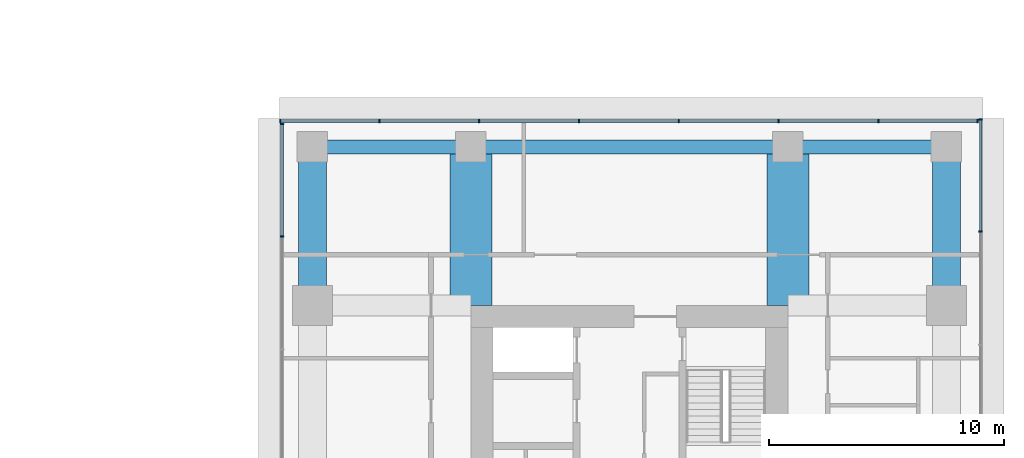
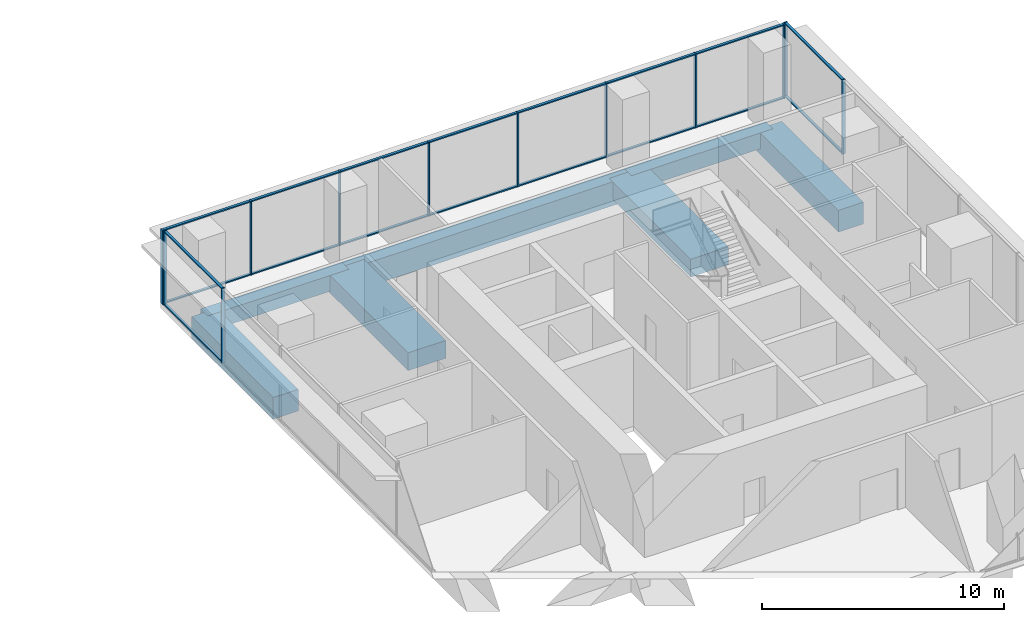
# One storey, part 5 of 14: 30 members, 7 beams, 3 elements without a shape of their own.
"""IFC4 building model written with IfcOpenShell, lengths in metres."""

from ifc_helpers import new_model, si_unit, direction, frame, origin, origin_2d, place, context, subcontext, project, spatial, rectangle, extrude, material, layer, layer_set, material_profile, profile_set, type_object, element, aggregate, save


model = new_model("IFC4")

# Units and contexts
model_context = context("Model", 3, precision=1e-05, world=origin(), true_north=direction((0.0, 1.0)))
body_context = subcontext(model_context, "Body", "Model", "MODEL_VIEW")
ifc_project = project(units=[si_unit("LENGTHUNIT", "METRE"), si_unit("AREAUNIT", "SQUARE_METRE"), si_unit("VOLUMEUNIT", "CUBIC_METRE"), si_unit("PLANEANGLEUNIT", "RADIAN"), si_unit("MASSUNIT", "GRAM", prefix="KILO")], contexts=[model_context])

# Site, building, storey
site_placement = place(None, origin())
site = spatial("IfcSite", under=ifc_project, at=site_placement, CompositionType="ELEMENT")
building_placement = place(site_placement, origin())
building = spatial("IfcBuilding", under=site, at=building_placement, Name="Namib Vertical Campus", CompositionType="ELEMENT")
storey_placement = place(building_placement, frame((0.0, 0.0, 233.0)))
storey = spatial("IfcBuildingStorey", under=building, at=storey_placement, Name="L55", CompositionType="ELEMENT", Elevation=233.0)

# Curtain wall, members
ifc_material_1 = material(Name="Black aluminium curtain wall", Category="aluminium")
ifc_layer = layer(ifc_material_1, 0.199951171875)
ifc_layer_set = layer_set([ifc_layer], Name="Sky lounge curtain wall CW-SL")
curtain_wall_type = type_object("IfcCurtainWallType", Name="Sky lounge curtain wall CW-SL", PredefinedType="USERDEFINED", material=ifc_layer_set)
curtain_wall_1_placement = place(storey_placement, origin())
curtain_wall_1 = element("IfcCurtainWall", 1, at=curtain_wall_1_placement, inside=storey, type_object=curtain_wall_type, Name="Curtain wall CW-SL L55 F02-1", ObjectType="CURTAIN WALL", PredefinedType="USERDEFINED")
ifc_material_2 = material(Name="Black anodised aluminium", Category="aluminium")
ifc_material_profile_1 = material_profile(ifc_material_2, rectangle(XDim=0.06005859375, YDim=0.159912109375, at=origin_2d()))
ifc_profile_set_1 = profile_set([ifc_material_profile_1], Name="Black anodised aluminium")
member_type_1 = type_object("IfcMemberType", Name="Curtain wall mullion 60x160", PredefinedType="MULLION", material=ifc_profile_set_1)
member_1_placement = place(storey_placement, frame((95.949951171875, 32.3857421875, 0.0), z_axis=(0.0, 0.0, 1.0), x_axis=(0.0, 1.0, 0.0)))
member_1 = element("IfcMember", 2, at=member_1_placement, type_object=member_type_1, Name="CW-SL mullion 7", PredefinedType="MULLION", context=body_context, shape_type="SweptSolid", body=[
    extrude(rectangle(XDim=0.06005859375, YDim=0.159912109375, at=origin_2d()), origin(), (0.0, 0.0, 1.0), 3.75),
])
member_2_placement = place(storey_placement, frame((95.949951171875, 37.169921875, 0.0), z_axis=(0.0, 0.0, 1.0), x_axis=(0.0, 1.0, 0.0)))
member_2 = element("IfcMember", 3, at=member_2_placement, type_object=member_type_1, Name="CW-SL mullion 8", PredefinedType="MULLION", context=body_context, shape_type="SweptSolid", body=[
    extrude(rectangle(XDim=0.06005859375, YDim=0.159912109375, at=origin_2d()), origin(), (0.0, 0.0, 1.0), 3.75),
])

curtain_wall_2_placement = place(storey_placement, origin())
curtain_wall_2 = element("IfcCurtainWall", 4, at=curtain_wall_2_placement, inside=storey, type_object=curtain_wall_type, Name="Curtain wall CW-SL L55 F03-1", ObjectType="CURTAIN WALL", PredefinedType="USERDEFINED")
member_3_placement = place(storey_placement, frame((95.820068359375, 37.10009765625, 0.0), z_axis=(0.0, 0.0, 1.0), x_axis=(-1.0, 0.0, 0.0)))
member_3 = element("IfcMember", 5, at=member_3_placement, type_object=member_type_1, Name="CW-SL mullion 1", PredefinedType="MULLION", context=body_context, shape_type="SweptSolid", body=[
    extrude(rectangle(XDim=0.06005859375, YDim=0.159912109375, at=origin_2d()), origin(), (0.0, 0.0, 1.0), 3.75),
])
member_4_placement = place(storey_placement, frame((91.60009765625, 37.10009765625, 0.0), z_axis=(0.0, 0.0, 1.0), x_axis=(-1.0, 0.0, 0.0)))
member_4 = element("IfcMember", 6, at=member_4_placement, type_object=member_type_1, Name="CW-SL mullion 2", PredefinedType="MULLION", context=body_context, shape_type="SweptSolid", body=[
    extrude(rectangle(XDim=0.06005859375, YDim=0.159912109375, at=origin_2d()), origin(), (0.0, 0.0, 1.0), 3.75),
])
member_5_placement = place(storey_placement, frame((87.35009765625, 37.10009765625, 0.0), z_axis=(0.0, 0.0, 1.0), x_axis=(-1.0, 0.0, 0.0)))
member_5 = element("IfcMember", 7, at=member_5_placement, type_object=member_type_1, Name="CW-SL mullion 3", PredefinedType="MULLION", context=body_context, shape_type="SweptSolid", body=[
    extrude(rectangle(XDim=0.06005859375, YDim=0.159912109375, at=origin_2d()), origin(), (0.0, 0.0, 1.0), 3.75),
])
member_6_placement = place(storey_placement, frame((83.10009765625, 37.10009765625, 0.0), z_axis=(0.0, 0.0, 1.0), x_axis=(-1.0, 0.0, 0.0)))
member_6 = element("IfcMember", 8, at=member_6_placement, type_object=member_type_1, Name="CW-SL mullion 4", PredefinedType="MULLION", context=body_context, shape_type="SweptSolid", body=[
    extrude(rectangle(XDim=0.06005859375, YDim=0.159912109375, at=origin_2d()), origin(), (0.0, 0.0, 1.0), 3.75),
])
member_7_placement = place(storey_placement, frame((78.85009765625, 37.10009765625, 0.0), z_axis=(0.0, 0.0, 1.0), x_axis=(-1.0, 0.0, 0.0)))
member_7 = element("IfcMember", 9, at=member_7_placement, type_object=member_type_1, Name="CW-SL mullion 5", PredefinedType="MULLION", context=body_context, shape_type="SweptSolid", body=[
    extrude(rectangle(XDim=0.06005859375, YDim=0.159912109375, at=origin_2d()), origin(), (0.0, 0.0, 1.0), 3.75),
])
member_8_placement = place(storey_placement, frame((74.60009765625, 37.10009765625, 0.0), z_axis=(0.0, 0.0, 1.0), x_axis=(-1.0, 0.0, 0.0)))
member_8 = element("IfcMember", 10, at=member_8_placement, type_object=member_type_1, Name="CW-SL mullion 6", PredefinedType="MULLION", context=body_context, shape_type="SweptSolid", body=[
    extrude(rectangle(XDim=0.06005859375, YDim=0.159912109375, at=origin_2d()), origin(), (0.0, 0.0, 1.0), 3.75),
])
member_9_placement = place(storey_placement, frame((70.35009765625, 37.10009765625, 0.0), z_axis=(0.0, 0.0, 1.0), x_axis=(-1.0, 0.0, 0.0)))
member_9 = element("IfcMember", 11, at=member_9_placement, type_object=member_type_1, Name="CW-SL mullion 7", PredefinedType="MULLION", context=body_context, shape_type="SweptSolid", body=[
    extrude(rectangle(XDim=0.06005859375, YDim=0.159912109375, at=origin_2d()), origin(), (0.0, 0.0, 1.0), 3.75),
])
member_10_placement = place(storey_placement, frame((66.1298828125, 37.10009765625, 0.0), z_axis=(0.0, 0.0, 1.0), x_axis=(-1.0, 0.0, 0.0)))
member_10 = element("IfcMember", 12, at=member_10_placement, type_object=member_type_1, Name="CW-SL mullion 8", PredefinedType="MULLION", context=body_context, shape_type="SweptSolid", body=[
    extrude(rectangle(XDim=0.06005859375, YDim=0.159912109375, at=origin_2d()), origin(), (0.0, 0.0, 1.0), 3.75),
])

curtain_wall_3_placement = place(storey_placement, origin())
curtain_wall_3 = element("IfcCurtainWall", 13, at=curtain_wall_3_placement, inside=storey, type_object=curtain_wall_type, Name="Curtain wall CW-SL L55 F04-1", ObjectType="CURTAIN WALL", PredefinedType="USERDEFINED")
member_11_placement = place(storey_placement, frame((66.199951171875, 36.969970703125, 0.0), z_axis=(0.0, 0.0, 1.0), x_axis=(0.0, -1.0, 0.0)))
member_11 = element("IfcMember", 14, at=member_11_placement, type_object=member_type_1, Name="CW-SL mullion 1", PredefinedType="MULLION", context=body_context, shape_type="SweptSolid", body=[
    extrude(rectangle(XDim=0.06005859375, YDim=0.159912109375, at=origin_2d()), origin(), (0.0, 0.0, 1.0), 3.75),
])
member_12_placement = place(storey_placement, frame((66.199951171875, 32.185791015625, 0.0), z_axis=(0.0, 0.0, 1.0), x_axis=(0.0, -1.0, 0.0)))
member_12 = element("IfcMember", 15, at=member_12_placement, type_object=member_type_1, Name="CW-SL mullion 2", PredefinedType="MULLION", context=body_context, shape_type="SweptSolid", body=[
    extrude(rectangle(XDim=0.06005859375, YDim=0.159912109375, at=origin_2d()), origin(), (0.0, 0.0, 1.0), 3.75),
])

# Member
ifc_material_3 = material(Name="Black anodised aluminium", Category="aluminium")
ifc_material_profile_2 = material_profile(ifc_material_3, rectangle(XDim=0.06005859375, YDim=0.1201171875, at=origin_2d()))
ifc_profile_set_2 = profile_set([ifc_material_profile_2], Name="Black anodised aluminium")
member_type_2 = type_object("IfcMemberType", Name="Curtain wall transom 60x120", PredefinedType="USERDEFINED", material=ifc_profile_set_2)
member_13_placement = place(storey_placement, frame((95.949951171875, 32.415771484375, 0.030029296875), z_axis=(0.0, 1.0, 0.0), x_axis=(0.0, 0.0, 1.0)))
member_13 = element("IfcMember", 16, at=member_13_placement, type_object=member_type_2, Name="CW-SL transom 7.1", ObjectType="TRANSOM", PredefinedType="USERDEFINED", context=body_context, shape_type="SweptSolid", body=[
    extrude(rectangle(XDim=0.06005859375, YDim=0.1201171875, at=origin_2d()), origin(), (0.0, 0.0, 1.0), 4.72412109375),
])

member_14_placement = place(storey_placement, frame((95.949951171875, 32.415771484375, 3.719970703125), z_axis=(0.0, 1.0, 0.0), x_axis=(0.0, 0.0, 1.0)))
member_14 = element("IfcMember", 17, at=member_14_placement, type_object=member_type_2, Name="CW-SL transom 7.2", ObjectType="TRANSOM", PredefinedType="USERDEFINED", context=body_context, shape_type="SweptSolid", body=[
    extrude(rectangle(XDim=0.06005859375, YDim=0.1201171875, at=origin_2d()), origin(), (0.0, 0.0, 1.0), 4.72412109375),
])

aggregate(curtain_wall_1, [member_1, member_2, member_13, member_14])

member_15_placement = place(storey_placement, frame((95.7900390625, 37.10009765625, 0.030029296875), z_axis=(-1.0, 0.0, 0.0), x_axis=(0.0, 0.0, 1.0)))
member_15 = element("IfcMember", 18, at=member_15_placement, type_object=member_type_2, Name="CW-SL transom 1.1", ObjectType="TRANSOM", PredefinedType="USERDEFINED", context=body_context, shape_type="SweptSolid", body=[
    extrude(rectangle(XDim=0.06005859375, YDim=0.1201171875, at=origin_2d()), origin(), (0.0, 0.0, 1.0), 4.16015625),
])

member_16_placement = place(storey_placement, frame((95.7900390625, 37.10009765625, 3.719970703125), z_axis=(-1.0, 0.0, 0.0), x_axis=(0.0, 0.0, 1.0)))
member_16 = element("IfcMember", 19, at=member_16_placement, type_object=member_type_2, Name="CW-SL transom 1.2", ObjectType="TRANSOM", PredefinedType="USERDEFINED", context=body_context, shape_type="SweptSolid", body=[
    extrude(rectangle(XDim=0.06005859375, YDim=0.1201171875, at=origin_2d()), origin(), (0.0, 0.0, 1.0), 4.16015625),
])

member_17_placement = place(storey_placement, frame((91.570068359375, 37.10009765625, 0.030029296875), z_axis=(-1.0, 0.0, 0.0), x_axis=(0.0, 0.0, 1.0)))
member_17 = element("IfcMember", 20, at=member_17_placement, type_object=member_type_2, Name="CW-SL transom 2.1", ObjectType="TRANSOM", PredefinedType="USERDEFINED", context=body_context, shape_type="SweptSolid", body=[
    extrude(rectangle(XDim=0.06005859375, YDim=0.1201171875, at=origin_2d()), origin(), (0.0, 0.0, 1.0), 4.190185546875),
])

member_18_placement = place(storey_placement, frame((91.570068359375, 37.10009765625, 3.719970703125), z_axis=(-1.0, 0.0, 0.0), x_axis=(0.0, 0.0, 1.0)))
member_18 = element("IfcMember", 21, at=member_18_placement, type_object=member_type_2, Name="CW-SL transom 2.2", ObjectType="TRANSOM", PredefinedType="USERDEFINED", context=body_context, shape_type="SweptSolid", body=[
    extrude(rectangle(XDim=0.06005859375, YDim=0.1201171875, at=origin_2d()), origin(), (0.0, 0.0, 1.0), 4.190185546875),
])

member_19_placement = place(storey_placement, frame((87.320068359375, 37.10009765625, 0.030029296875), z_axis=(-1.0, 0.0, 0.0), x_axis=(0.0, 0.0, 1.0)))
member_19 = element("IfcMember", 22, at=member_19_placement, type_object=member_type_2, Name="CW-SL transom 3.1", ObjectType="TRANSOM", PredefinedType="USERDEFINED", context=body_context, shape_type="SweptSolid", body=[
    extrude(rectangle(XDim=0.06005859375, YDim=0.1201171875, at=origin_2d()), origin(), (0.0, 0.0, 1.0), 4.190185546875),
])

member_20_placement = place(storey_placement, frame((87.320068359375, 37.10009765625, 3.719970703125), z_axis=(-1.0, 0.0, 0.0), x_axis=(0.0, 0.0, 1.0)))
member_20 = element("IfcMember", 23, at=member_20_placement, type_object=member_type_2, Name="CW-SL transom 3.2", ObjectType="TRANSOM", PredefinedType="USERDEFINED", context=body_context, shape_type="SweptSolid", body=[
    extrude(rectangle(XDim=0.06005859375, YDim=0.1201171875, at=origin_2d()), origin(), (0.0, 0.0, 1.0), 4.190185546875),
])

member_21_placement = place(storey_placement, frame((83.070068359375, 37.10009765625, 0.030029296875), z_axis=(-1.0, 0.0, 0.0), x_axis=(0.0, 0.0, 1.0)))
member_21 = element("IfcMember", 24, at=member_21_placement, type_object=member_type_2, Name="CW-SL transom 4.1", ObjectType="TRANSOM", PredefinedType="USERDEFINED", context=body_context, shape_type="SweptSolid", body=[
    extrude(rectangle(XDim=0.06005859375, YDim=0.1201171875, at=origin_2d()), origin(), (0.0, 0.0, 1.0), 4.190185546875),
])

member_22_placement = place(storey_placement, frame((83.070068359375, 37.10009765625, 3.719970703125), z_axis=(-1.0, 0.0, 0.0), x_axis=(0.0, 0.0, 1.0)))
member_22 = element("IfcMember", 25, at=member_22_placement, type_object=member_type_2, Name="CW-SL transom 4.2", ObjectType="TRANSOM", PredefinedType="USERDEFINED", context=body_context, shape_type="SweptSolid", body=[
    extrude(rectangle(XDim=0.06005859375, YDim=0.1201171875, at=origin_2d()), origin(), (0.0, 0.0, 1.0), 4.190185546875),
])

member_23_placement = place(storey_placement, frame((78.820068359375, 37.10009765625, 0.030029296875), z_axis=(-1.0, 0.0, 0.0), x_axis=(0.0, 0.0, 1.0)))
member_23 = element("IfcMember", 26, at=member_23_placement, type_object=member_type_2, Name="CW-SL transom 5.1", ObjectType="TRANSOM", PredefinedType="USERDEFINED", context=body_context, shape_type="SweptSolid", body=[
    extrude(rectangle(XDim=0.06005859375, YDim=0.1201171875, at=origin_2d()), origin(), (0.0, 0.0, 1.0), 4.190185546875),
])

member_24_placement = place(storey_placement, frame((78.820068359375, 37.10009765625, 3.719970703125), z_axis=(-1.0, 0.0, 0.0), x_axis=(0.0, 0.0, 1.0)))
member_24 = element("IfcMember", 27, at=member_24_placement, type_object=member_type_2, Name="CW-SL transom 5.2", ObjectType="TRANSOM", PredefinedType="USERDEFINED", context=body_context, shape_type="SweptSolid", body=[
    extrude(rectangle(XDim=0.06005859375, YDim=0.1201171875, at=origin_2d()), origin(), (0.0, 0.0, 1.0), 4.190185546875),
])

member_25_placement = place(storey_placement, frame((74.570068359375, 37.10009765625, 0.030029296875), z_axis=(-1.0, 0.0, 0.0), x_axis=(0.0, 0.0, 1.0)))
member_25 = element("IfcMember", 28, at=member_25_placement, type_object=member_type_2, Name="CW-SL transom 6.1", ObjectType="TRANSOM", PredefinedType="USERDEFINED", context=body_context, shape_type="SweptSolid", body=[
    extrude(rectangle(XDim=0.06005859375, YDim=0.1201171875, at=origin_2d()), origin(), (0.0, 0.0, 1.0), 4.190185546875),
])

member_26_placement = place(storey_placement, frame((74.570068359375, 37.10009765625, 3.719970703125), z_axis=(-1.0, 0.0, 0.0), x_axis=(0.0, 0.0, 1.0)))
member_26 = element("IfcMember", 29, at=member_26_placement, type_object=member_type_2, Name="CW-SL transom 6.2", ObjectType="TRANSOM", PredefinedType="USERDEFINED", context=body_context, shape_type="SweptSolid", body=[
    extrude(rectangle(XDim=0.06005859375, YDim=0.1201171875, at=origin_2d()), origin(), (0.0, 0.0, 1.0), 4.190185546875),
])

member_27_placement = place(storey_placement, frame((70.320068359375, 37.10009765625, 0.030029296875), z_axis=(-1.0, 0.0, 0.0), x_axis=(0.0, 0.0, 1.0)))
member_27 = element("IfcMember", 30, at=member_27_placement, type_object=member_type_2, Name="CW-SL transom 7.1", ObjectType="TRANSOM", PredefinedType="USERDEFINED", context=body_context, shape_type="SweptSolid", body=[
    extrude(rectangle(XDim=0.06005859375, YDim=0.1201171875, at=origin_2d()), origin(), (0.0, 0.0, 1.0), 4.16015625),
])

member_28_placement = place(storey_placement, frame((70.320068359375, 37.10009765625, 3.719970703125), z_axis=(-1.0, 0.0, 0.0), x_axis=(0.0, 0.0, 1.0)))
member_28 = element("IfcMember", 31, at=member_28_placement, type_object=member_type_2, Name="CW-SL transom 7.2", ObjectType="TRANSOM", PredefinedType="USERDEFINED", context=body_context, shape_type="SweptSolid", body=[
    extrude(rectangle(XDim=0.06005859375, YDim=0.1201171875, at=origin_2d()), origin(), (0.0, 0.0, 1.0), 4.16015625),
])

aggregate(curtain_wall_2, [member_3, member_4, member_5, member_6, member_7, member_8, member_9, member_10, member_15, member_16, member_17, member_18, member_19, member_20, member_21, member_22, member_23, member_24, member_25, member_26, member_27, member_28])

member_29_placement = place(storey_placement, frame((66.199951171875, 36.93994140625, 0.030029296875), z_axis=(0.0, -1.0, 0.0), x_axis=(0.0, 0.0, 1.0)))
member_29 = element("IfcMember", 32, at=member_29_placement, type_object=member_type_2, Name="CW-SL transom 1.1", ObjectType="TRANSOM", PredefinedType="USERDEFINED", context=body_context, shape_type="SweptSolid", body=[
    extrude(rectangle(XDim=0.06005859375, YDim=0.1201171875, at=origin_2d()), origin(), (0.0, 0.0, 1.0), 4.72412109375),
])

member_30_placement = place(storey_placement, frame((66.199951171875, 36.93994140625, 3.719970703125), z_axis=(0.0, -1.0, 0.0), x_axis=(0.0, 0.0, 1.0)))
member_30 = element("IfcMember", 33, at=member_30_placement, type_object=member_type_2, Name="CW-SL transom 1.2", ObjectType="TRANSOM", PredefinedType="USERDEFINED", context=body_context, shape_type="SweptSolid", body=[
    extrude(rectangle(XDim=0.06005859375, YDim=0.1201171875, at=origin_2d()), origin(), (0.0, 0.0, 1.0), 4.72412109375),
])

aggregate(curtain_wall_3, [member_11, member_12, member_29, member_30])

# Beams
ifc_material_4 = material(Name="Concrete C40/50", Category="concrete")
ifc_material_profile_3 = material_profile(ifc_material_4, rectangle(XDim=1.199951171875, YDim=1.10009765625, at=origin_2d()))
ifc_profile_set_3 = profile_set([ifc_material_profile_3], Name="Concrete C40/50")
beam_type_1 = type_object("IfcBeamType", Name="Face ring beam RC 1200x1100", PredefinedType="BEAM", material=ifc_profile_set_3)
for number, where, z_axis, x_axis, name in (
    (34, (67.5, 29.25, -0.800048828125), (0.0, 1.0, 0.0), (-1.0, 0.0, 0.0), "Beam B11 L55"),
    (35, (94.5, 29.25, -0.800048828125), (0.0, 1.0, 0.0), (-1.0, 0.0, 0.0), "Beam B11 L55"),
):
    element("IfcBeam", number, at=place(storey_placement, frame(where, z_axis=z_axis, x_axis=x_axis)), inside=storey, type_object=beam_type_1, Name=name, PredefinedType="BEAM", context=body_context, shape_type="SweptSolid", body=[
        extrude(rectangle(XDim=1.199951171875, YDim=1.10009765625, at=origin_2d()), origin(), (0.0, 0.0, 1.0), 6.75),
    ])
ifc_material_5 = material(Name="Concrete C40/50", Category="concrete")
ifc_material_profile_4 = material_profile(ifc_material_5, rectangle(XDim=0.60009765625, YDim=1.199951171875, at=origin_2d()))
ifc_profile_set_4 = profile_set([ifc_material_profile_4], Name="Concrete C40/50")
beam_type_2 = type_object("IfcBeamType", Name="Long-span ring beam RC 600x1200", PredefinedType="BEAM", material=ifc_profile_set_4)
beam_placement = place(storey_placement, frame((74.25, 36.0, -0.85009765625), z_axis=(1.0, 0.0, 0.0), x_axis=(0.0, 1.0, 0.0)))
element("IfcBeam", 36, at=beam_placement, inside=storey, type_object=beam_type_2, Name="Beam B9 L55", PredefinedType="BEAM", context=body_context, shape_type="SweptSolid", body=[
    extrude(rectangle(XDim=0.60009765625, YDim=1.199951171875, at=origin_2d()), origin(), (0.0, 0.0, 1.0), 13.5),
])
ifc_material_6 = material(Name="Concrete C40/50", Category="concrete")
ifc_material_profile_5 = material_profile(ifc_material_6, rectangle(XDim=1.800048828125, YDim=0.89990234375, at=origin_2d()))
ifc_profile_set_5 = profile_set([ifc_material_profile_5], Name="Concrete C40/50")
beam_type_3 = type_object("IfcBeamType", Name="Outrigger line girder RC 1800x900", PredefinedType="BEAM", material=ifc_profile_set_5)
for number, where, z_axis, x_axis, name in (
    (37, (74.25, 36.0, -0.699951171875), (0.0, -1.0, 0.0), (1.0, 0.0, 0.0), "Beam B12 L55"),
    (38, (87.75, 36.0, -0.699951171875), (0.0, -1.0, 0.0), (1.0, 0.0, 0.0), "Beam B12 L55"),
):
    element("IfcBeam", number, at=place(storey_placement, frame(where, z_axis=z_axis, x_axis=x_axis)), inside=storey, type_object=beam_type_3, Name=name, PredefinedType="BEAM", context=body_context, shape_type="SweptSolid", body=[
        extrude(rectangle(XDim=1.800048828125, YDim=0.89990234375, at=origin_2d()), origin(), (0.0, 0.0, 1.0), 6.75),
    ])
ifc_material_7 = material(Name="Concrete C40/50", Category="concrete")
ifc_material_profile_6 = material_profile(ifc_material_7, rectangle(XDim=0.60009765625, YDim=0.800048828125, at=origin_2d()))
ifc_profile_set_6 = profile_set([ifc_material_profile_6], Name="Concrete C40/50")
beam_type_4 = type_object("IfcBeamType", Name="Ring beam RC 600x800", PredefinedType="BEAM", material=ifc_profile_set_6)
for number, where, z_axis, x_axis, name in (
    (39, (67.5, 36.0, -0.64990234375), (1.0, 0.0, 0.0), (0.0, 1.0, 0.0), "Beam B1 L55"),
    (40, (87.75, 36.0, -0.64990234375), (1.0, 0.0, 0.0), (0.0, 1.0, 0.0), "Beam B1 L55"),
):
    element("IfcBeam", number, at=place(storey_placement, frame(where, z_axis=z_axis, x_axis=x_axis)), inside=storey, type_object=beam_type_4, Name=name, PredefinedType="BEAM", context=body_context, shape_type="SweptSolid", body=[
        extrude(rectangle(XDim=0.60009765625, YDim=0.800048828125, at=origin_2d()), origin(), (0.0, 0.0, 1.0), 6.75),
    ])

save(model, "model.ifc")
